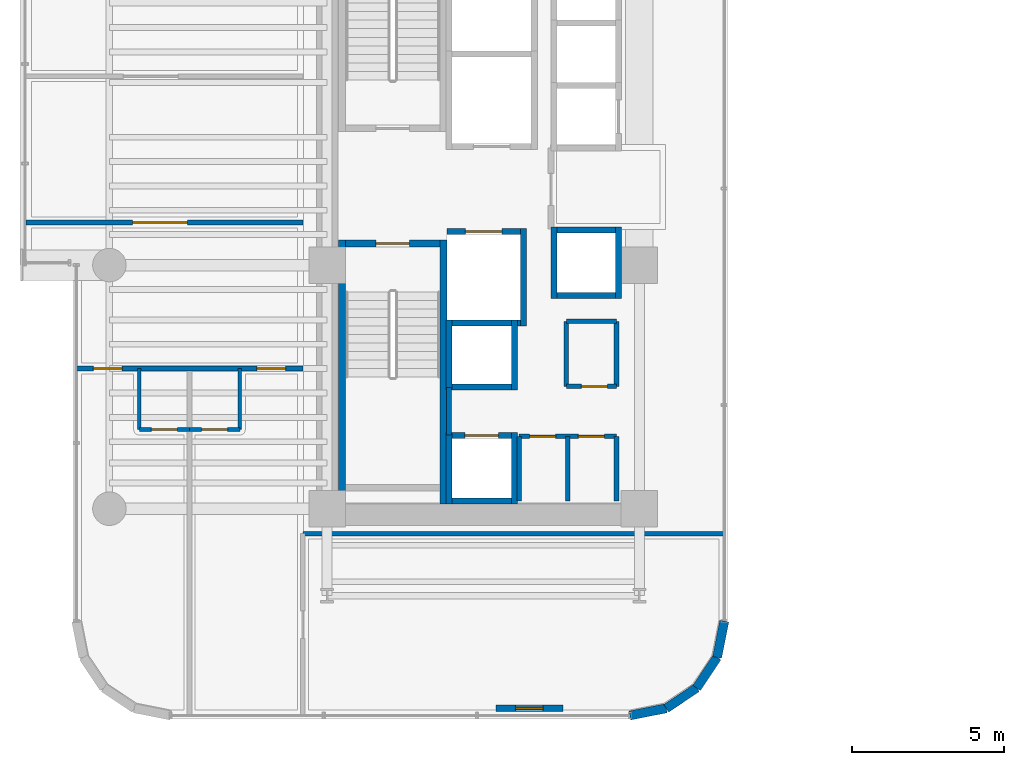
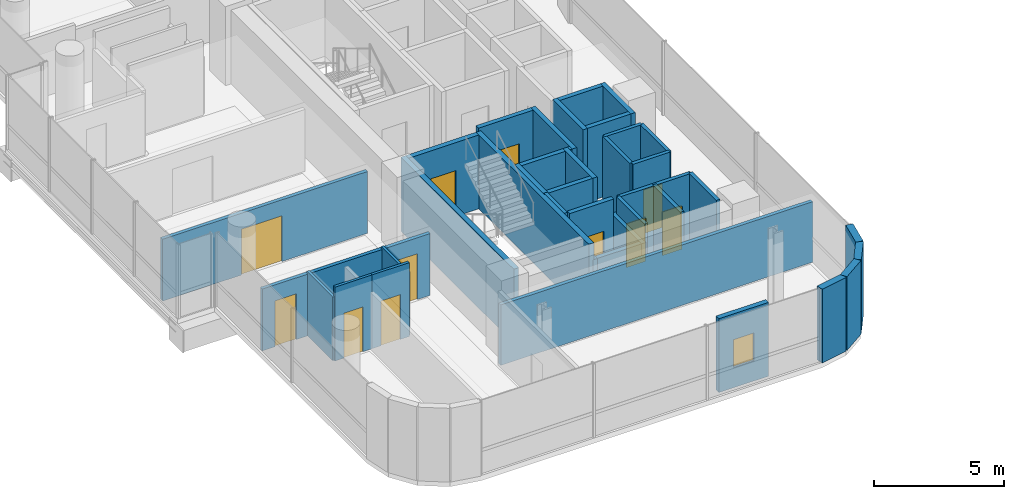
# One storey, part 26 of 35: 38 walls, 11 doors, 1 window, 12 openings.
"""IFC4 building model written with IfcOpenShell, lengths in metres."""

from ifc_helpers import new_model, si_unit, direction, frame, frame_2d, origin, place, context, subcontext, project, spatial, rectangle, extrude, material, layer, layer_set, type_object, element, fill, save


model = new_model("IFC4")

# Units and contexts
model_context = context("Model", 3, precision=1e-05, world=origin(), true_north=direction((0.0, 1.0)))
body_context = subcontext(model_context, "Body", "Model", "MODEL_VIEW")
ifc_project = project(units=[si_unit("LENGTHUNIT", "METRE"), si_unit("AREAUNIT", "SQUARE_METRE"), si_unit("VOLUMEUNIT", "CUBIC_METRE"), si_unit("PLANEANGLEUNIT", "RADIAN"), si_unit("MASSUNIT", "GRAM", prefix="KILO")], contexts=[model_context])

# Site, building, storey
site_placement = place(None, origin())
site = spatial("IfcSite", under=ifc_project, at=site_placement, CompositionType="ELEMENT")
building_placement = place(site_placement, origin())
building = spatial("IfcBuilding", under=site, at=building_placement, Name="Valdorenza Pilgrim Sanctuary Tower", CompositionType="ELEMENT")
storey_placement = place(building_placement, frame((0.0, 0.0, 139.0)))
storey = spatial("IfcBuildingStorey", under=building, at=storey_placement, Name="L35", CompositionType="ELEMENT", Elevation=139.0)

# Wall
ifc_material_1 = material(Name="Acoustic twin-stud gypsum partition", Category="gypsum")
ifc_layer_1 = layer(ifc_material_1, 0.159912109375, Name="Acoustic twin-stud gypsum partition")
ifc_layer_set_1 = layer_set([ifc_layer_1], Name="Acoustic twin-stud gypsum partition")
wall_type_1 = type_object("IfcWallType", Name="WAL-COR-160", PredefinedType="PARTITIONING", material=ifc_layer_set_1)
wall_1_placement = place(storey_placement, frame((-18.64990234375, -8.179931640625, 0.0), z_axis=(0.0, 0.0, 1.0), x_axis=(0.0, 1.0, 0.0)))
element("IfcWall", 1, at=wall_1_placement, inside=storey, type_object=wall_type_1, Name="L35 Core A South Lift Hall West Wall", PredefinedType="PARTITIONING", context=body_context, shape_type="SweptSolid", body=[
    extrude(rectangle(XDim=1.559814453125, YDim=0.159912109375, at=frame_2d((0.77978515625, 0.0))), origin(), (0.0, 0.0, 1.0), 3.4599609375),
])

# Wall, openings, doors
wall_2_placement = place(storey_placement, frame((-16.35009765625, -8.219970703125, 0.0), z_axis=(0.0, 0.0, 1.0), x_axis=(1.0, 0.0, 0.0)))
wall_2 = element("IfcWall", 2, at=wall_2_placement, inside=storey, type_object=wall_type_1, Name="L35 Freed Shaft 1 North Wall", PredefinedType="PARTITIONING", context=body_context, shape_type="SweptSolid", body=[
    extrude(rectangle(XDim=3.2001953125, YDim=0.159912109375, at=frame_2d((1.60009765625, 0.0))), origin(), (0.0, 0.0, 1.0), 3.4599609375),
])
opening_1_placement = place(wall_2_placement, frame((0.35009765625, 0.0, 0.0)))
opening_1 = element("IfcOpeningElement", 3, at=opening_1_placement, cuts=wall_2, Name="Opening DR-RS1", PredefinedType="OPENING", context=body_context, shape_type="SweptSolid", body=[
    extrude(rectangle(XDim=0.85009765625, YDim=2.050048828125, at=frame_2d((0.425048828125, 1.02490234375))), frame((0.0, 0.0947265625, 0.0), z_axis=(0.0, -1.0, 0.0), x_axis=(1.0, 0.0, 0.0)), (0.0, 0.0, 1.0), 0.189697265625),
])
opening_2_placement = place(wall_2_placement, frame((1.949951171875, 0.0, 0.0)))
opening_2 = element("IfcOpeningElement", 4, at=opening_2_placement, cuts=wall_2, Name="Opening DR-RS1", PredefinedType="OPENING", context=body_context, shape_type="SweptSolid", body=[
    extrude(rectangle(XDim=0.85009765625, YDim=2.050048828125, at=frame_2d((0.425048828125, 1.02490234375))), frame((0.0, 0.0947265625, 0.0), z_axis=(0.0, -1.0, 0.0), x_axis=(1.0, 0.0, 0.0)), (0.0, 0.0, 1.0), 0.189697265625),
])
ifc_material_2 = material(Name="Painted galvanized steel", Category="steel")
door_type_1 = type_object("IfcDoorType", Name="DR-RSR-850", OperationType="NOTDEFINED", PredefinedType="DOOR", material=ifc_material_2)
door_1_placement = place(opening_1_placement, origin())
door_1 = element("IfcDoor", 5, at=door_1_placement, inside=storey, type_object=door_type_1, Name="L35 Linen Store Door", OperationType="SINGLE_SWING_LEFT", OverallHeight=2.050048828125, OverallWidth=0.85009765625, PredefinedType="DOOR", context=body_context, shape_type="SweptSolid", body=[
    extrude(rectangle(XDim=0.85009765625, YDim=2.050048828125, at=frame_2d((0.425048828125, 1.02490234375))), frame((0.0, 0.02490234375, 0.0), z_axis=(0.0, -1.0, 0.0), x_axis=(1.0, 0.0, 0.0)), (0.0, 0.0, 1.0), 0.050048828125),
])
fill(opening_1, door_1)
door_2_placement = place(opening_2_placement, origin())
door_2 = element("IfcDoor", 6, at=door_2_placement, inside=storey, type_object=door_type_1, Name="L35 Cot Store Door", OperationType="SINGLE_SWING_RIGHT", OverallHeight=2.050048828125, OverallWidth=0.85009765625, PredefinedType="DOOR", context=body_context, shape_type="SweptSolid", body=[
    extrude(rectangle(XDim=0.85009765625, YDim=2.050048828125, at=frame_2d((0.425048828125, 1.02490234375))), frame((0.0, 0.02490234375, 0.0), z_axis=(0.0, -1.0, 0.0), x_axis=(1.0, 0.0, 0.0)), (0.0, 0.0, 1.0), 0.050048828125),
])
fill(opening_2, door_2)

# Walls
for number, where, z_axis, x_axis, name in (
    (7, (-13.14990234375, -10.35009765625, 0.0), (0.0, 0.0, 1.0), (0.0, 1.0, 0.0), "L35 Freed Shaft 1 East Wall"),
    (8, (-14.75, -10.35009765625, 0.0), (0.0, 0.0, 1.0), (0.0, 1.0, 0.0), "L35 Freed Shaft 1 Split Wall"),
):
    element("IfcWall", number, at=place(storey_placement, frame(where, z_axis=z_axis, x_axis=x_axis)), inside=storey, type_object=wall_type_1, Name=name, PredefinedType="PARTITIONING", context=body_context, shape_type="SweptSolid", body=[
        extrude(rectangle(XDim=2.130126953125, YDim=0.159912109375, at=frame_2d((1.06494140625, 0.0))), origin(), (0.0, 0.0, 1.0), 3.4599609375),
    ])

# Wall, opening, door
wall_3_placement = place(storey_placement, frame((-14.800048828125, -6.580078125, 0.0), z_axis=(0.0, 0.0, 1.0), x_axis=(1.0, 0.0, 0.0)))
wall_3 = element("IfcWall", 9, at=wall_3_placement, inside=storey, type_object=wall_type_1, Name="L35 Freed Shaft 2 South Wall", PredefinedType="PARTITIONING", context=body_context, shape_type="SweptSolid", body=[
    extrude(rectangle(XDim=1.650146484375, YDim=0.159912109375, at=frame_2d((0.8251953125, 0.0))), origin(), (0.0, 0.0, 1.0), 3.4599609375),
])
opening_3_placement = place(wall_3_placement, frame((0.5, 0.0, 0.0)))
opening_3 = element("IfcOpeningElement", 10, at=opening_3_placement, cuts=wall_3, Name="Opening DR-RS1", PredefinedType="OPENING", context=body_context, shape_type="SweptSolid", body=[
    extrude(rectangle(XDim=0.85009765625, YDim=2.050048828125, at=frame_2d((0.425048828125, 1.02490234375))), frame((0.0, 0.0947265625, 0.0), z_axis=(0.0, -1.0, 0.0), x_axis=(1.0, 0.0, 0.0)), (0.0, 0.0, 1.0), 0.189697265625),
])
door_3_placement = place(opening_3_placement, origin())
door_3 = element("IfcDoor", 11, at=door_3_placement, inside=storey, type_object=door_type_1, Name="L35 Guest Tea Pantry Door", OperationType="SINGLE_SWING_LEFT", OverallHeight=2.050048828125, OverallWidth=0.85009765625, PredefinedType="DOOR", context=body_context, shape_type="SweptSolid", body=[
    extrude(rectangle(XDim=0.85009765625, YDim=2.050048828125, at=frame_2d((0.425048828125, 1.02490234375))), frame((0.0, 0.02490234375, 0.0), z_axis=(0.0, -1.0, 0.0), x_axis=(1.0, 0.0, 0.0)), (0.0, 0.0, 1.0), 0.050048828125),
])
fill(opening_3, door_3)

# Walls
wall_4_placement = place(storey_placement, frame((-13.14990234375, -6.580078125, 0.0), z_axis=(0.0, 0.0, 1.0), x_axis=(0.0, 1.0, 0.0)))
element("IfcWall", 12, at=wall_4_placement, inside=storey, type_object=wall_type_1, Name="L35 Freed Shaft 2 East Wall", PredefinedType="PARTITIONING", context=body_context, shape_type="SweptSolid", body=[
    extrude(rectangle(XDim=2.130126953125, YDim=0.159912109375, at=frame_2d((1.06494140625, 0.0))), origin(), (0.0, 0.0, 1.0), 3.4599609375),
])
wall_5_placement = place(storey_placement, frame((-23.449951171875, -11.419921875, 0.0), z_axis=(0.0, 0.0, 1.0), x_axis=(1.0, 0.0, 0.0)))
element("IfcWall", 13, at=wall_5_placement, inside=storey, type_object=wall_type_1, Name="L35 South-East Pocket North Wall", PredefinedType="PARTITIONING", context=body_context, shape_type="SweptSolid", body=[
    extrude(rectangle(XDim=13.83984375, YDim=0.159912109375, at=frame_2d((6.919921875, 0.0))), origin(), (0.0, 0.0, 1.0), 2.833984375),
])

# Wall, openings, doors
wall_6_placement = place(storey_placement, frame((-30.889892578125, -6.0, 0.0), z_axis=(0.0, 0.0, 1.0), x_axis=(1.0, 0.0, 0.0)))
wall_6 = element("IfcWall", 14, at=wall_6_placement, inside=storey, type_object=wall_type_1, Name="L35 Cloister South Room Wall", PredefinedType="PARTITIONING", context=body_context, shape_type="SweptSolid", body=[
    extrude(rectangle(XDim=7.43994140625, YDim=0.159912109375, at=frame_2d((3.719970703125, 0.0))), origin(), (0.0, 0.0, 1.0), 2.89599609375),
])
opening_4_placement = place(wall_6_placement, frame((0.56005859375, 0.0, 0.0)))
opening_4 = element("IfcOpeningElement", 15, at=opening_4_placement, cuts=wall_6, Name="Opening DR-UN1", PredefinedType="OPENING", context=body_context, shape_type="SweptSolid", body=[
    extrude(rectangle(XDim=0.949951171875, YDim=2.14990234375, at=frame_2d((0.47509765625, 1.074951171875))), frame((0.0, 0.0947265625, 0.0), z_axis=(0.0, -1.0, 0.0), x_axis=(1.0, 0.0, 0.0)), (0.0, 0.0, 1.0), 0.189697265625),
])
opening_5_placement = place(wall_6_placement, frame((5.929931640625, 0.0, 0.0)))
opening_5 = element("IfcOpeningElement", 16, at=opening_5_placement, cuts=wall_6, Name="Opening DR-UN1", PredefinedType="OPENING", context=body_context, shape_type="SweptSolid", body=[
    extrude(rectangle(XDim=0.949951171875, YDim=2.14990234375, at=frame_2d((0.47509765625, 1.074951171875))), frame((0.0, 0.0947265625, 0.0), z_axis=(0.0, -1.0, 0.0), x_axis=(1.0, 0.0, 0.0)), (0.0, 0.0, 1.0), 0.189697265625),
])
ifc_material_3 = material(Name="Solid-core European oak timber", Category="wood")
door_type_2 = type_object("IfcDoorType", Name="DR-UNIT-950", OperationType="NOTDEFINED", PredefinedType="DOOR", material=ifc_material_3)
door_4_placement = place(opening_4_placement, origin())
door_4 = element("IfcDoor", 17, at=door_4_placement, inside=storey, type_object=door_type_2, Name="L35 Pilgrim Guest Room L35-CS1A Entrance Door", OperationType="SINGLE_SWING_RIGHT", OverallHeight=2.14990234375, OverallWidth=0.949951171875, PredefinedType="DOOR", context=body_context, shape_type="SweptSolid", body=[
    extrude(rectangle(XDim=0.949951171875, YDim=2.14990234375, at=frame_2d((0.47509765625, 1.074951171875))), frame((0.0, 0.02490234375, 0.0), z_axis=(0.0, -1.0, 0.0), x_axis=(1.0, 0.0, 0.0)), (0.0, 0.0, 1.0), 0.050048828125),
])
fill(opening_4, door_4)
door_5_placement = place(opening_5_placement, origin())
door_5 = element("IfcDoor", 18, at=door_5_placement, inside=storey, type_object=door_type_2, Name="L35 Pilgrim Guest Room L35-CS1B Entrance Door", OperationType="SINGLE_SWING_RIGHT", OverallHeight=2.14990234375, OverallWidth=0.949951171875, PredefinedType="DOOR", context=body_context, shape_type="SweptSolid", body=[
    extrude(rectangle(XDim=0.949951171875, YDim=2.14990234375, at=frame_2d((0.47509765625, 1.074951171875))), frame((0.0, 0.02490234375, 0.0), z_axis=(0.0, -1.0, 0.0), x_axis=(1.0, 0.0, 0.0)), (0.0, 0.0, 1.0), 0.050048828125),
])
fill(opening_5, door_5)

# Wall, opening, door
wall_7_placement = place(storey_placement, frame((-32.5400390625, -1.199951171875, 0.0), z_axis=(0.0, 0.0, 1.0), x_axis=(1.0, 0.0, 0.0)))
wall_7 = element("IfcWall", 19, at=wall_7_placement, inside=storey, type_object=wall_type_1, Name="L35 Cloister Mid Wall 1", PredefinedType="PARTITIONING", context=body_context, shape_type="SweptSolid", body=[
    extrude(rectangle(XDim=9.090087890625, YDim=0.159912109375, at=frame_2d((4.544921875, 0.0))), origin(), (0.0, 0.0, 1.0), 2.89599609375),
])
opening_6_placement = place(wall_7_placement, frame((3.5, 0.0, 0.0)))
opening_6 = element("IfcOpeningElement", 20, at=opening_6_placement, cuts=wall_7, Name="Opening DR-HL1", PredefinedType="OPENING", context=body_context, shape_type="SweptSolid", body=[
    extrude(rectangle(XDim=1.800048828125, YDim=2.14990234375, at=frame_2d((0.89990234375, 1.074951171875))), frame((0.0, 0.0947265625, 0.0), z_axis=(0.0, -1.0, 0.0), x_axis=(1.0, 0.0, 0.0)), (0.0, 0.0, 1.0), 0.189697265625),
])
ifc_material_4 = material(Name="Acoustic oak and vision-glass double door", Category="glass")
door_type_3 = type_object("IfcDoorType", Name="DR-HALL-1800", OperationType="NOTDEFINED", PredefinedType="DOOR", material=ifc_material_4)
door_6_placement = place(opening_6_placement, frame((1.800048828125, 0.0, 0.0), z_axis=(0.0, 0.0, 1.0), x_axis=(-1.0, 0.0, 0.0)))
door_6 = element("IfcDoor", 21, at=door_6_placement, inside=storey, type_object=door_type_3, Name="L35 Cloister South-Mid Double Door", OperationType="DOUBLE_DOOR_SINGLE_SWING", OverallHeight=2.14990234375, OverallWidth=1.800048828125, PredefinedType="DOOR", context=body_context, shape_type="SweptSolid", body=[
    extrude(rectangle(XDim=1.800048828125, YDim=2.14990234375, at=frame_2d((0.89990234375, 1.074951171875))), frame((0.0, 0.02490234375, 0.0), z_axis=(0.0, -1.0, 0.0), x_axis=(1.0, 0.0, 0.0)), (0.0, 0.0, 1.0), 0.050048828125),
])
fill(opening_6, door_6)

# Walls
ifc_material_5 = material(Name="Honed travertine limestone", Category="masonry")
ifc_layer_2 = layer(ifc_material_5, 0.300048828125, Name="Honed travertine limestone")
ifc_layer_set_2 = layer_set([ifc_layer_2], Name="Honed travertine limestone")
wall_type_2 = type_object("IfcWallType", Name="WAL-EXT-300", PredefinedType="SOLIDWALL", material=ifc_layer_set_2)
wall_8_placement = place(storey_placement, frame((-9.610107421875, -14.289306640625, 0.0), z_axis=(0.0, 0.0, 1.0), x_axis=(-0.194996050505, -0.980804027463, 0.0)))
element("IfcWall", 22, at=wall_8_placement, inside=storey, type_object=wall_type_2, Name="L35 Rounded Wind-Corner Stone Pier 42", PredefinedType="SOLIDWALL", context=body_context, shape_type="SweptSolid", body=[
    extrude(rectangle(XDim=1.2158203125, YDim=0.300048828125, at=frame_2d((0.60791015625, 0.0))), origin(), (0.0, 0.0, 1.0), 3.4599609375),
])
for number, where, z_axis, x_axis, name in (
    (23, (-9.84716796875, -15.481689453125, 0.0), (0.0, 0.0, 1.0), (-0.555635100982, -0.831426265255, 0.0), "L35 Rounded Wind-Corner Stone Pier 43"),
    (24, (-10.5166015625, -16.4833984375, 0.0), (0.0, 0.0, 1.0), (-0.831426265255, -0.555635100982, 0.0), "L35 Rounded Wind-Corner Stone Pier 44"),
):
    element("IfcWall", number, at=place(storey_placement, frame(where, z_axis=z_axis, x_axis=x_axis)), inside=storey, type_object=wall_type_2, Name=name, PredefinedType="SOLIDWALL", context=body_context, shape_type="SweptSolid", body=[
        extrude(rectangle(XDim=1.204833984375, YDim=0.300048828125, at=frame_2d((0.6025390625, 0.0))), origin(), (0.0, 0.0, 1.0), 3.4599609375),
    ])
wall_9_placement = place(storey_placement, frame((-11.518310546875, -17.15283203125, 0.0), z_axis=(0.0, 0.0, 1.0), x_axis=(-0.980804027463, -0.194996050505, 0.0)))
element("IfcWall", 25, at=wall_9_placement, inside=storey, type_object=wall_type_2, Name="L35 Rounded Wind-Corner Stone Pier 45", PredefinedType="SOLIDWALL", context=body_context, shape_type="SweptSolid", body=[
    extrude(rectangle(XDim=1.2158203125, YDim=0.300048828125, at=frame_2d((0.60791015625, 0.0))), origin(), (0.0, 0.0, 1.0), 3.4599609375),
])

# Wall, opening, window
wall_10_placement = place(storey_placement, frame((-14.910888671875, -17.14990234375, 0.0), z_axis=(0.0, 0.0, 1.0), x_axis=(-1.0, 0.0, 0.0)))
wall_10 = element("IfcWall", 26, at=wall_10_placement, inside=storey, type_object=wall_type_2, Name="L35 Operable Ventilation Sash Jamb Pier", PredefinedType="SOLIDWALL", context=body_context, shape_type="SweptSolid", body=[
    extrude(rectangle(XDim=2.199951171875, YDim=0.219970703125, at=frame_2d((1.10009765625, 0.0))), origin(), (0.0, 0.0, 1.0), 3.4599609375),
])
opening_7_placement = place(wall_10_placement, frame((0.64990234375, 0.0, 0.949951171875)))
opening_7 = element("IfcOpeningElement", 27, at=opening_7_placement, cuts=wall_10, Name="Opening WN-OP1", PredefinedType="OPENING", context=body_context, shape_type="SweptSolid", body=[
    extrude(rectangle(XDim=0.89990234375, YDim=1.300048828125, at=frame_2d((0.449951171875, 0.64990234375))), frame((0.0, 0.125, 0.0), z_axis=(0.0, -1.0, 0.0), x_axis=(1.0, 0.0, 0.0)), (0.0, 0.0, 1.0), 0.249755859375),
])
ifc_material_6 = material(Name="Ceramic-fritted low-E IGU glazing", Category="glass")
window_type = type_object("IfcWindowType", Name="WIN-OPN-900", PartitioningType="SINGLE_PANEL", PredefinedType="WINDOW", material=ifc_material_6)
window_placement = place(opening_7_placement, origin())
window = element("IfcWindow", 28, at=window_placement, inside=storey, type_object=window_type, Name="L35 Parallel-Pop-Out Operable Facade Panel", OverallHeight=1.300048828125, OverallWidth=0.89990234375, PartitioningType="SINGLE_PANEL", PredefinedType="WINDOW", context=body_context, shape_type="SweptSolid", body=[
    extrude(rectangle(XDim=0.89990234375, YDim=1.300048828125, at=frame_2d((0.449951171875, 0.64990234375))), frame((0.0, 0.030029296875, 0.0), z_axis=(0.0, -1.0, 0.0), x_axis=(1.0, 0.0, 0.0)), (0.0, 0.0, 1.0), 0.06005859375),
])
fill(opening_7, window)

# Wall
ifc_material_7 = material(Name="Moisture-resistant gypsum partition", Category="gypsum")
ifc_layer_3 = layer(ifc_material_7, 0.1201171875, Name="Moisture-resistant gypsum partition")
ifc_layer_set_3 = layer_set([ifc_layer_3], Name="Moisture-resistant gypsum partition")
wall_type_3 = type_object("IfcWallType", Name="WAL-INT-120", PredefinedType="PARTITIONING", material=ifc_layer_set_3)
wall_11_placement = place(storey_placement, frame((-28.820068359375, -8.0, 0.0), z_axis=(0.0, 0.0, 1.0), x_axis=(0.0, 1.0, 0.0)))
element("IfcWall", 29, at=wall_11_placement, inside=storey, type_object=wall_type_3, Name="L35 Pilgrim Guest Room L35-CS1A En-suite West Wall", PredefinedType="PARTITIONING", context=body_context, shape_type="SweptSolid", body=[
    extrude(rectangle(XDim=2.0, YDim=0.1201171875, at=frame_2d((1.0, 0.0))), origin(), (0.0, 0.0, 1.0), 2.988037109375),
])

# Wall, opening, door
wall_12_placement = place(storey_placement, frame((-28.820068359375, -8.0, 0.0), z_axis=(0.0, 0.0, 1.0), x_axis=(1.0, 0.0, 0.0)))
wall_12 = element("IfcWall", 30, at=wall_12_placement, inside=storey, type_object=wall_type_3, Name="L35 Pilgrim Guest Room L35-CS1A En-suite Door Wall", PredefinedType="PARTITIONING", context=body_context, shape_type="SweptSolid", body=[
    extrude(rectangle(XDim=1.650146484375, YDim=0.1201171875, at=frame_2d((0.8251953125, 0.0))), origin(), (0.0, 0.0, 1.0), 3.4599609375),
])
opening_8_placement = place(wall_12_placement, frame((0.39990234375, 0.0, 0.0)))
opening_8 = element("IfcOpeningElement", 31, at=opening_8_placement, cuts=wall_12, Name="Opening DR-WC1", PredefinedType="OPENING", context=body_context, shape_type="SweptSolid", body=[
    extrude(rectangle(XDim=0.85009765625, YDim=2.10009765625, at=frame_2d((0.425048828125, 1.050048828125))), frame((0.0, 0.074951171875, 0.0), z_axis=(0.0, -1.0, 0.0), x_axis=(1.0, 0.0, 0.0)), (0.0, 0.0, 1.0), 0.14990234375),
])
ifc_material_8 = material(Name="Moisture-resistant lacquered timber", Category="wood")
door_type_4 = type_object("IfcDoorType", Name="DR-BATH-850", OperationType="NOTDEFINED", PredefinedType="DOOR", material=ifc_material_8)
door_7_placement = place(opening_8_placement, origin())
door_7 = element("IfcDoor", 32, at=door_7_placement, inside=storey, type_object=door_type_4, Name="L35 Pilgrim Guest Room L35-CS1A En-suite Bathroom Door", OperationType="SINGLE_SWING_LEFT", OverallHeight=2.10009765625, OverallWidth=0.85009765625, PredefinedType="DOOR", context=body_context, shape_type="SweptSolid", body=[
    extrude(rectangle(XDim=0.85009765625, YDim=2.10009765625, at=frame_2d((0.425048828125, 1.050048828125))), frame((0.0, 0.02490234375, 0.0), z_axis=(0.0, -1.0, 0.0), x_axis=(1.0, 0.0, 0.0)), (0.0, 0.0, 1.0), 0.050048828125),
])
fill(opening_8, door_7)

# Wall
wall_13_placement = place(storey_placement, frame((-25.52001953125, -8.0, 0.0), z_axis=(0.0, 0.0, 1.0), x_axis=(0.0, 1.0, 0.0)))
element("IfcWall", 33, at=wall_13_placement, inside=storey, type_object=wall_type_3, Name="L35 Pilgrim Guest Room L35-CS1B En-suite East Wall", PredefinedType="PARTITIONING", context=body_context, shape_type="SweptSolid", body=[
    extrude(rectangle(XDim=2.0, YDim=0.1201171875, at=frame_2d((1.0, 0.0))), origin(), (0.0, 0.0, 1.0), 2.988037109375),
])

# Wall, opening, door
wall_14_placement = place(storey_placement, frame((-27.169921875, -8.0, 0.0), z_axis=(0.0, 0.0, 1.0), x_axis=(1.0, 0.0, 0.0)))
wall_14 = element("IfcWall", 34, at=wall_14_placement, inside=storey, type_object=wall_type_3, Name="L35 Pilgrim Guest Room L35-CS1B En-suite Door Wall", PredefinedType="PARTITIONING", context=body_context, shape_type="SweptSolid", body=[
    extrude(rectangle(XDim=1.64990234375, YDim=0.1201171875, at=frame_2d((0.824951171875, 0.0))), origin(), (0.0, 0.0, 1.0), 3.4599609375),
])
opening_9_placement = place(wall_14_placement, frame((0.39990234375, 0.0, 0.0)))
opening_9 = element("IfcOpeningElement", 35, at=opening_9_placement, cuts=wall_14, Name="Opening DR-WC1", PredefinedType="OPENING", context=body_context, shape_type="SweptSolid", body=[
    extrude(rectangle(XDim=0.85009765625, YDim=2.10009765625, at=frame_2d((0.425048828125, 1.050048828125))), frame((0.0, 0.074951171875, 0.0), z_axis=(0.0, -1.0, 0.0), x_axis=(1.0, 0.0, 0.0)), (0.0, 0.0, 1.0), 0.14990234375),
])
door_8_placement = place(opening_9_placement, origin())
door_8 = element("IfcDoor", 36, at=door_8_placement, inside=storey, type_object=door_type_4, Name="L35 Pilgrim Guest Room L35-CS1B En-suite Bathroom Door", OperationType="SINGLE_SWING_LEFT", OverallHeight=2.10009765625, OverallWidth=0.85009765625, PredefinedType="DOOR", context=body_context, shape_type="SweptSolid", body=[
    extrude(rectangle(XDim=0.85009765625, YDim=2.10009765625, at=frame_2d((0.425048828125, 1.050048828125))), frame((0.0, 0.02490234375, 0.0), z_axis=(0.0, -1.0, 0.0), x_axis=(1.0, 0.0, 0.0)), (0.0, 0.0, 1.0), 0.050048828125),
])
fill(opening_9, door_8)

# Walls
ifc_material_9 = material(Name="Autoclaved aerated concrete blockwork", Category="masonry")
ifc_layer_4 = layer(ifc_material_9, 0.199951171875, Name="Autoclaved aerated concrete blockwork")
ifc_layer_set_4 = layer_set([ifc_layer_4], Name="Autoclaved aerated concrete blockwork")
wall_type_4 = type_object("IfcWallType", Name="WAL-SHF-200", PredefinedType="MOVABLE", material=ifc_layer_set_4)
wall_15_placement = place(storey_placement, frame((-16.199951171875, -4.60009765625, 0.0), z_axis=(0.0, 0.0, 1.0), x_axis=(0.0, 1.0, 0.0)))
element("IfcWall", 37, at=wall_15_placement, inside=storey, type_object=wall_type_4, Name="L35 Lift FFL-02 Hoistway Wall East", PredefinedType="MOVABLE", context=body_context, shape_type="SweptSolid", body=[
    extrude(rectangle(XDim=3.2001953125, YDim=0.199951171875, at=frame_2d((1.60009765625, 0.0))), origin(), (0.0, 0.0, 1.0), 3.4599609375),
])
wall_16_placement = place(storey_placement, frame((-18.719970703125, -4.5, 0.0), z_axis=(0.0, 0.0, 1.0), x_axis=(1.0, 0.0, 0.0)))
element("IfcWall", 38, at=wall_16_placement, inside=storey, type_object=wall_type_4, Name="L35 Lift FFL-02 Hoistway Wall South", PredefinedType="MOVABLE", context=body_context, shape_type="SweptSolid", body=[
    extrude(rectangle(XDim=2.419921875, YDim=0.199951171875, at=frame_2d((1.2099609375, 0.0))), origin(), (0.0, 0.0, 1.0), 3.4599609375),
])

# Wall, opening, door
wall_17_placement = place(storey_placement, frame((-18.719970703125, -1.5, 0.0), z_axis=(0.0, 0.0, 1.0), x_axis=(1.0, 0.0, 0.0)))
wall_17 = element("IfcWall", 39, at=wall_17_placement, inside=storey, type_object=wall_type_4, Name="L35 Lift FFL-02 Hoistway Wall North", PredefinedType="MOVABLE", context=body_context, shape_type="SweptSolid", body=[
    extrude(rectangle(XDim=2.419921875, YDim=0.199951171875, at=frame_2d((1.2099609375, 0.0))), origin(), (0.0, 0.0, 1.0), 3.4599609375),
])
opening_10_placement = place(wall_17_placement, frame((0.610107421875, 0.0, 0.0)))
opening_10 = element("IfcOpeningElement", 40, at=opening_10_placement, cuts=wall_17, Name="Opening LD-02", PredefinedType="OPENING", context=body_context, shape_type="SweptSolid", body=[
    extrude(rectangle(XDim=1.199951171875, YDim=2.10009765625, at=frame_2d((0.60009765625, 1.050048828125))), frame((0.0, 0.11474609375, 0.0), z_axis=(0.0, -1.0, 0.0), x_axis=(1.0, 0.0, 0.0)), (0.0, 0.0, 1.0), 0.229736328125),
])
ifc_material_10 = material(Name="Brushed stainless steel Grade 316", Category="steel")
door_type_5 = type_object("IfcDoorType", Name="DR-LFT-1200", OperationType="DOUBLE_DOOR_SLIDING", PredefinedType="DOOR", material=ifc_material_10)
door_9_placement = place(opening_10_placement, origin())
door_9 = element("IfcDoor", 41, at=door_9_placement, inside=storey, type_object=door_type_5, Name="L35 Lift FFL-02 Sliding Landing Door", OperationType="DOUBLE_DOOR_SLIDING", OverallHeight=2.10009765625, OverallWidth=1.199951171875, PredefinedType="DOOR", context=body_context, shape_type="SweptSolid", body=[
    extrude(rectangle(XDim=1.199951171875, YDim=2.10009765625, at=frame_2d((0.60009765625, 1.050048828125))), frame((0.0, 0.02490234375, 0.0), z_axis=(0.0, -1.0, 0.0), x_axis=(1.0, 0.0, 0.0)), (0.0, 0.0, 1.0), 0.050048828125),
])
fill(opening_10, door_9)

# Walls
for number, where, z_axis, x_axis, name in (
    (42, (-18.64990234375, -10.449951171875, 0.0), (0.0, 0.0, 1.0), (0.0, 1.0, 0.0), "L35 Lift PL-05 Hoistway Wall West"),
    (43, (-16.5, -10.449951171875, 0.0), (0.0, 0.0, 1.0), (0.0, 1.0, 0.0), "L35 Lift PL-05 Hoistway Wall East"),
):
    element("IfcWall", number, at=place(storey_placement, frame(where, z_axis=z_axis, x_axis=x_axis)), inside=storey, type_object=wall_type_4, Name=name, PredefinedType="MOVABLE", context=body_context, shape_type="SweptSolid", body=[
        extrude(rectangle(XDim=2.349853515625, YDim=0.199951171875, at=frame_2d((1.1748046875, 0.0))), origin(), (0.0, 0.0, 1.0), 2.666015625),
    ])
wall_18_placement = place(storey_placement, frame((-18.550048828125, -10.35009765625, 0.0), z_axis=(0.0, 0.0, 1.0), x_axis=(1.0, 0.0, 0.0)))
element("IfcWall", 44, at=wall_18_placement, inside=storey, type_object=wall_type_4, Name="L35 Lift PL-05 Hoistway Wall South", PredefinedType="MOVABLE", context=body_context, shape_type="SweptSolid", body=[
    extrude(rectangle(XDim=1.949951171875, YDim=0.199951171875, at=frame_2d((0.97509765625, 0.0))), origin(), (0.0, 0.0, 1.0), 2.666015625),
])

# Wall, opening, door
wall_19_placement = place(storey_placement, frame((-18.550048828125, -8.199951171875, 0.0), z_axis=(0.0, 0.0, 1.0), x_axis=(1.0, 0.0, 0.0)))
wall_19 = element("IfcWall", 45, at=wall_19_placement, inside=storey, type_object=wall_type_4, Name="L35 Lift PL-05 Hoistway Wall North", PredefinedType="MOVABLE", context=body_context, shape_type="SweptSolid", body=[
    extrude(rectangle(XDim=1.949951171875, YDim=0.199951171875, at=frame_2d((0.97509765625, 0.0))), origin(), (0.0, 0.0, 1.0), 3.4599609375),
])
opening_11_placement = place(wall_19_placement, frame((0.425048828125, 0.0, 0.0)))
opening_11 = element("IfcOpeningElement", 46, at=opening_11_placement, cuts=wall_19, Name="Opening LD-01", PredefinedType="OPENING", context=body_context, shape_type="SweptSolid", body=[
    extrude(rectangle(XDim=1.10009765625, YDim=2.10009765625, at=frame_2d((0.550048828125, 1.050048828125))), frame((0.0, 0.11474609375, 0.0), z_axis=(0.0, -1.0, 0.0), x_axis=(1.0, 0.0, 0.0)), (0.0, 0.0, 1.0), 0.229736328125),
])
door_type_6 = type_object("IfcDoorType", Name="DR-LFT-1100", OperationType="DOUBLE_DOOR_SLIDING", PredefinedType="DOOR", material=ifc_material_10)
door_10_placement = place(opening_11_placement, origin())
door_10 = element("IfcDoor", 47, at=door_10_placement, inside=storey, type_object=door_type_6, Name="L35 Lift PL-05 Sliding Landing Door", OperationType="DOUBLE_DOOR_SLIDING", OverallHeight=2.10009765625, OverallWidth=1.10009765625, PredefinedType="DOOR", context=body_context, shape_type="SweptSolid", body=[
    extrude(rectangle(XDim=1.10009765625, YDim=2.10009765625, at=frame_2d((0.550048828125, 1.050048828125))), frame((0.0, 0.02490234375, 0.0), z_axis=(0.0, -1.0, 0.0), x_axis=(1.0, 0.0, 0.0)), (0.0, 0.0, 1.0), 0.050048828125),
])
fill(opening_11, door_10)

# Walls
for number, where, z_axis, x_axis, name in (
    (48, (-18.64990234375, -6.699951171875, 0.0), (0.0, 0.0, 1.0), (0.0, 1.0, 0.0), "L35 Lift PL-11 Hoistway Wall West"),
    (49, (-16.5, -6.699951171875, 0.0), (0.0, 0.0, 1.0), (0.0, 1.0, 0.0), "L35 Lift PL-11 Hoistway Wall East"),
):
    element("IfcWall", number, at=place(storey_placement, frame(where, z_axis=z_axis, x_axis=x_axis)), inside=storey, type_object=wall_type_4, Name=name, PredefinedType="MOVABLE", context=body_context, shape_type="SweptSolid", body=[
        extrude(rectangle(XDim=2.300048828125, YDim=0.199951171875, at=frame_2d((1.14990234375, 0.0))), origin(), (0.0, 0.0, 1.0), 3.4599609375),
    ])
wall_20_placement = place(storey_placement, frame((-18.550048828125, -6.60009765625, 0.0), z_axis=(0.0, 0.0, 1.0), x_axis=(1.0, 0.0, 0.0)))
element("IfcWall", 50, at=wall_20_placement, inside=storey, type_object=wall_type_4, Name="L35 Lift PL-11 Hoistway Wall South", PredefinedType="MOVABLE", context=body_context, shape_type="SweptSolid", body=[
    extrude(rectangle(XDim=1.949951171875, YDim=0.199951171875, at=frame_2d((0.97509765625, 0.0))), origin(), (0.0, 0.0, 1.0), 3.4599609375),
])
for number, where, z_axis, x_axis, name in (
    (51, (-15.199951171875, -3.699951171875, 0.0), (0.0, 0.0, 1.0), (0.0, 1.0, 0.0), "L35 Lift PL-12 Hoistway Wall West"),
    (52, (-13.080078125, -3.699951171875, 0.0), (0.0, 0.0, 1.0), (0.0, 1.0, 0.0), "L35 Lift PL-12 Hoistway Wall East"),
):
    element("IfcWall", number, at=place(storey_placement, frame(where, z_axis=z_axis, x_axis=x_axis)), inside=storey, type_object=wall_type_4, Name=name, PredefinedType="MOVABLE", context=body_context, shape_type="SweptSolid", body=[
        extrude(rectangle(XDim=2.349853515625, YDim=0.199951171875, at=frame_2d((1.1748046875, 0.0))), origin(), (0.0, 0.0, 1.0), 3.4599609375),
    ])
for number, where, z_axis, x_axis, name in (
    (53, (-15.10009765625, -3.60009765625, 0.0), (0.0, 0.0, 1.0), (1.0, 0.0, 0.0), "L35 Lift PL-12 Hoistway Wall South"),
    (54, (-15.10009765625, -1.449951171875, 0.0), (0.0, 0.0, 1.0), (1.0, 0.0, 0.0), "L35 Lift PL-12 Hoistway Wall North"),
):
    element("IfcWall", number, at=place(storey_placement, frame(where, z_axis=z_axis, x_axis=x_axis)), inside=storey, type_object=wall_type_4, Name=name, PredefinedType="MOVABLE", context=body_context, shape_type="SweptSolid", body=[
        extrude(rectangle(XDim=1.920166015625, YDim=0.199951171875, at=frame_2d((0.9599609375, 0.0))), origin(), (0.0, 0.0, 1.0), 3.4599609375),
    ])
ifc_material_11 = material(Name="Concrete C40/50", Category="concrete")
ifc_layer_5 = layer(ifc_material_11, 0.219970703125, Name="Concrete C40/50")
ifc_layer_set_5 = layer_set([ifc_layer_5], Name="Concrete C40/50")
wall_type_5 = type_object("IfcWallType", Name="WAL-STR-SHF-220", PredefinedType="SHEAR", material=ifc_layer_set_5)
for number, where, z_axis, x_axis, name in (
    (55, (-22.159912109375, -10.449951171875, 0.0), (0.0, 0.0, 1.0), (0.0, 1.0, 0.0), "L35 ST-A2 Structural Stairwell Wall W"),
    (56, (-18.830078125, -10.449951171875, 0.0), (0.0, 0.0, 1.0), (0.0, 1.0, 0.0), "L35 ST-A2 Structural Stairwell Wall E"),
):
    element("IfcWall", number, at=place(storey_placement, frame(where, z_axis=z_axis, x_axis=x_axis)), inside=storey, type_object=wall_type_5, Name=name, PredefinedType="SHEAR", context=body_context, shape_type="SweptSolid", body=[
        extrude(rectangle(XDim=8.669921875, YDim=0.219970703125, at=frame_2d((4.3349609375, 0.0))), origin(), (0.0, 0.0, 1.0), 3.4599609375),
    ])

# Wall, opening, door
wall_21_placement = place(storey_placement, frame((-22.050048828125, -1.889892578125, 0.0), z_axis=(0.0, 0.0, 1.0), x_axis=(1.0, 0.0, 0.0)))
wall_21 = element("IfcWall", 57, at=wall_21_placement, inside=storey, type_object=wall_type_5, Name="L35 ST-A2 Structural Stairwell Wall N", PredefinedType="SHEAR", context=body_context, shape_type="SweptSolid", body=[
    extrude(rectangle(XDim=3.110107421875, YDim=0.219970703125, at=frame_2d((1.55517578125, 0.0))), origin(), (0.0, 0.0, 1.0), 3.4599609375),
])
opening_12_placement = place(wall_21_placement, frame((1.0, 0.0, 0.0)))
opening_12 = element("IfcOpeningElement", 58, at=opening_12_placement, cuts=wall_21, Name="Opening DR-ST1", PredefinedType="OPENING", context=body_context, shape_type="SweptSolid", body=[
    extrude(rectangle(XDim=1.10009765625, YDim=2.14990234375, at=frame_2d((0.550048828125, 1.074951171875))), frame((0.0, 0.125, 0.0), z_axis=(0.0, -1.0, 0.0), x_axis=(1.0, 0.0, 0.0)), (0.0, 0.0, 1.0), 0.249755859375),
])
door_type_7 = type_object("IfcDoorType", Name="DR-STAIR-1100", OperationType="NOTDEFINED", PredefinedType="DOOR", material=ifc_material_2)
door_11_placement = place(opening_12_placement, origin())
door_11 = element("IfcDoor", 59, at=door_11_placement, inside=storey, type_object=door_type_7, Name="L35 Exit Stair ST-A2 Door", OperationType="SINGLE_SWING_RIGHT", OverallHeight=2.14990234375, OverallWidth=1.10009765625, PredefinedType="DOOR", context=body_context, shape_type="SweptSolid", body=[
    extrude(rectangle(XDim=1.10009765625, YDim=2.14990234375, at=frame_2d((0.550048828125, 1.074951171875))), frame((0.0, 0.02490234375, 0.0), z_axis=(0.0, -1.0, 0.0), x_axis=(1.0, 0.0, 0.0)), (0.0, 0.0, 1.0), 0.050048828125),
])
fill(opening_12, door_11)

# Walls
ifc_layer_6 = layer(ifc_material_1, 0.14990234375, Name="Acoustic twin-stud gypsum partition")
ifc_layer_set_6 = layer_set([ifc_layer_6], Name="Acoustic twin-stud gypsum partition")
wall_type_6 = type_object("IfcWallType", Name="WAL-UNT-150", PredefinedType="PARTITIONING", material=ifc_layer_set_6)
for number, where, z_axis, x_axis, name in (
    (60, (-16.35009765625, -10.35009765625, 0.0), (0.0, 0.0, 1.0), (0.0, 1.0, 0.0), "L35 Freed Shaft 1 West Wall"),
    (61, (-14.800048828125, -6.580078125, 0.0), (0.0, 0.0, 1.0), (0.0, 1.0, 0.0), "L35 Freed Shaft 2 West Wall"),
):
    element("IfcWall", number, at=place(storey_placement, frame(where, z_axis=z_axis, x_axis=x_axis)), inside=storey, type_object=wall_type_6, Name=name, PredefinedType="PARTITIONING", context=body_context, shape_type="SweptSolid", body=[
        extrude(rectangle(XDim=2.130126953125, YDim=0.14990234375, at=frame_2d((1.06494140625, 0.0))), origin(), (0.0, 0.0, 1.0), 3.4599609375),
    ])
wall_22_placement = place(storey_placement, frame((-14.800048828125, -4.449951171875, 0.0), z_axis=(0.0, 0.0, 1.0), x_axis=(1.0, 0.0, 0.0)))
element("IfcWall", 62, at=wall_22_placement, inside=storey, type_object=wall_type_6, Name="L35 Freed Shaft 2 North Wall", PredefinedType="PARTITIONING", context=body_context, shape_type="SweptSolid", body=[
    extrude(rectangle(XDim=1.650146484375, YDim=0.14990234375, at=frame_2d((0.8251953125, 0.0))), origin(), (0.0, 0.0, 1.0), 3.4599609375),
])

save(model, "model.ifc")
